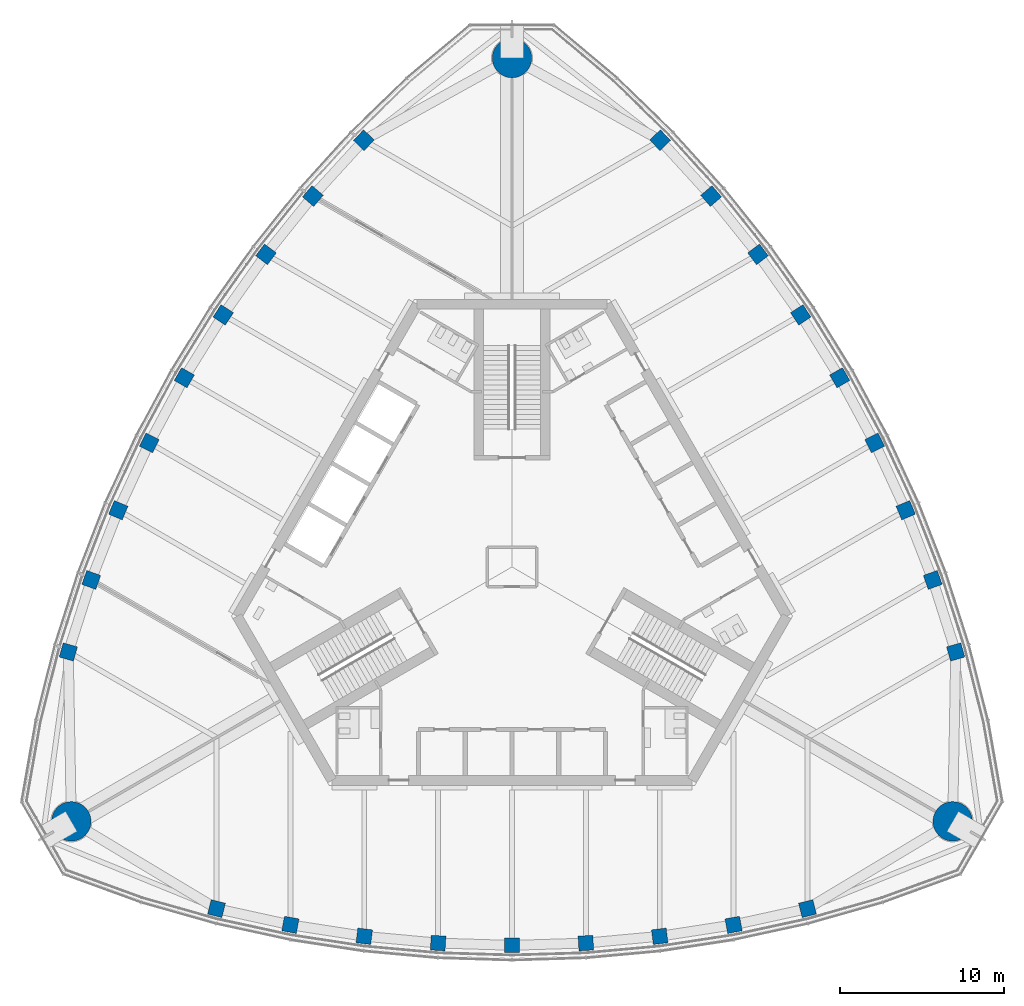
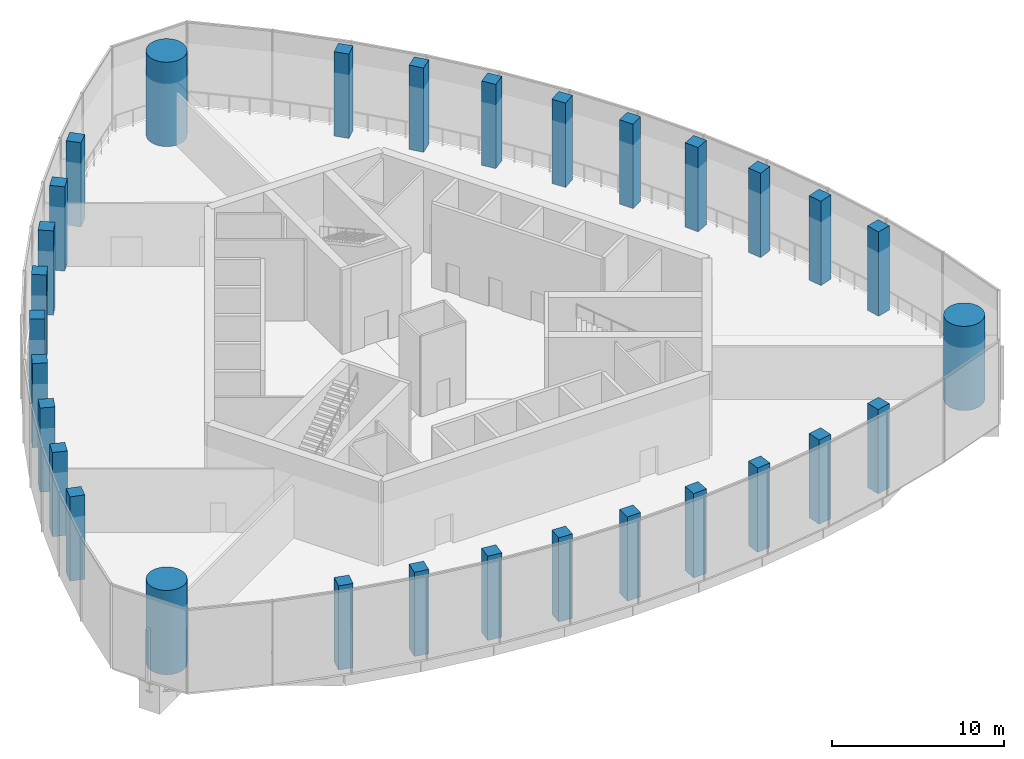
# One storey, part 1 of 15: 30 columns.
"""IFC4 building model written with IfcOpenShell, lengths in metres."""

from ifc_helpers import new_model, si_unit, direction, frame, origin, origin_2d, place, context, subcontext, project, spatial, rectangle, circle, extrude, material, material_profile, profile_set, type_object, element, save


model = new_model("IFC4")

# Units and contexts
model_context = context("Model", 3, precision=1e-05, world=origin(), true_north=direction((0.0, 1.0)))
body_context = subcontext(model_context, "Body", "Model", "MODEL_VIEW")
ifc_project = project(units=[si_unit("LENGTHUNIT", "METRE"), si_unit("AREAUNIT", "SQUARE_METRE"), si_unit("VOLUMEUNIT", "CUBIC_METRE"), si_unit("PLANEANGLEUNIT", "RADIAN"), si_unit("MASSUNIT", "GRAM", prefix="KILO")], contexts=[model_context])

# Site, building, storey
site_placement = place(None, origin())
site = spatial("IfcSite", under=ifc_project, at=site_placement, CompositionType="ELEMENT")
building_placement = place(site_placement, origin())
building = spatial("IfcBuilding", under=site, at=building_placement, Name="Trefoil Bronze Tower", CompositionType="ELEMENT")
storey_placement = place(building_placement, frame((0.0, 0.0, 322.5)))
storey = spatial("IfcBuildingStorey", under=building, at=storey_placement, Name="L74", CompositionType="ELEMENT", Elevation=322.5)

# Columns
ifc_material_1 = material(Name="Concrete B80", Category="concrete")
ifc_material_profile_1 = material_profile(ifc_material_1, circle(Radius=1.199951171875, at=origin_2d()), Name="RC D2400")
ifc_profile_set_1 = profile_set([ifc_material_profile_1], Name="Concrete B80")
column_type_1 = type_object("IfcColumnType", Name="Mega column RC D2400", PredefinedType="COLUMN", material=ifc_profile_set_1)
for number, where, z_axis, x_axis, name in (
    (1, (26.8466796875, -15.5, 0.0), (0.0, 0.0, 1.0), (1.0, 0.0, 0.0), "Mega column K1 L74"),
    (2, (0.0, 31.0, 0.0), (0.0, 0.0, 1.0), (1.0, 0.0, 0.0), "Mega column K2 L74"),
    (3, (-26.8466796875, -15.5, 0.0), (0.0, 0.0, 1.0), (1.0, 0.0, 0.0), "Mega column K3 L74"),
):
    element("IfcColumn", number, at=place(storey_placement, frame(where, z_axis=z_axis, x_axis=x_axis)), inside=storey, type_object=column_type_1, Name=name, PredefinedType="COLUMN", context=body_context, shape_type="SweptSolid", body=[
        extrude(circle(Radius=1.199951171875, at=origin_2d()), origin(), (0.0, 0.0, 1.0), 6.0),
    ])
ifc_material_2 = material(Name="Concrete B80", Category="concrete")
ifc_material_profile_2 = material_profile(ifc_material_2, rectangle(XDim=0.89990234375, YDim=0.89990234375, at=origin_2d()), Name="RC 900x900")
ifc_profile_set_2 = profile_set([ifc_material_profile_2], Name="Concrete B80")
column_type_2 = type_object("IfcColumnType", Name="Tube column RC 900x900", PredefinedType="COLUMN", material=ifc_profile_set_2)
for number, where, z_axis, x_axis, name in (
    (4, (-18.0, -20.816162109375, 0.0), (0.0, 0.0, 1.0), (0.97017777199, -0.242394494031, 0.0), "Tube column F1/-4 L74"),
    (5, (-13.5, -21.802734375, 0.0), (0.0, 0.0, 1.0), (0.983360067227, -0.181667218242, 0.0), "Tube column F1/-3 L74"),
    (6, (-9.0, -22.499267578125, 0.0), (0.0, 0.0, 1.0), (0.992639174109, -0.121109330868, 0.0), "Tube column F1/-2 L74"),
    (7, (-4.5, -22.913818359375, 0.0), (0.0, 0.0, 1.0), (0.998164920349, -0.060554040199, 0.0), "Tube column F1/-1 L74"),
    (8, (0.0, -23.051513671875, 0.0), (0.0, 0.0, 1.0), (1.0, 0.0, 0.0), "Tube column F1/+0 L74"),
    (9, (4.5, -22.913818359375, 0.0), (0.0, 0.0, 1.0), (0.998164920349, 0.060554040199, 0.0), "Tube column F1/+1 L74"),
    (10, (9.0, -22.499267578125, 0.0), (0.0, 0.0, 1.0), (0.992639174109, 0.121109330868, 0.0), "Tube column F1/+2 L74"),
    (11, (13.5, -21.802734375, 0.0), (0.0, 0.0, 1.0), (0.983360067227, 0.181667218242, 0.0), "Tube column F1/+3 L74"),
    (12, (18.0, -20.816162109375, 0.0), (0.0, 0.0, 1.0), (0.97017777199, 0.242394494031, 0.0), "Tube column F1/+4 L74"),
    (13, (27.02734375, -5.180419921875, 0.0), (0.0, 0.0, 1.0), (-0.275169096426, 0.961395843746, 0.0), "Tube column F2/-4 L74"),
    (14, (25.631591796875, -0.7900390625, 0.0), (0.0, 0.0, 1.0), (-0.334351607581, 0.942448408407, 0.0), "Tube column F2/-3 L74"),
    (15, (23.98486328125, 3.455322265625, 0.0), (0.0, 0.0, 1.0), (-0.391435829888, 0.920205407004, 0.0), "Tube column F2/-2 L74"),
    (16, (22.093994140625, 7.559814453125, 0.0), (0.0, 0.0, 1.0), (-0.44664112306, 0.894713198289, 0.0), "Tube column F2/-1 L74"),
    (17, (19.96337890625, 11.52587890625, 0.0), (0.0, 0.0, 1.0), (-0.5, 0.866025403784, 0.0), "Tube column F2/+0 L74"),
    (18, (17.593994140625, 15.35400390625, 0.0), (0.0, 0.0, 1.0), (-0.551523797289, 0.834159158089, 0.0), "Tube column F2/+1 L74"),
    (19, (14.98486328125, 19.043701171875, 0.0), (0.0, 0.0, 1.0), (-0.601203344222, 0.799096076136, 0.0), "Tube column F2/+2 L74"),
    (20, (12.131591796875, 22.5927734375, 0.0), (0.0, 0.0, 1.0), (-0.649008459646, 0.760781190165, 0.0), "Tube column F2/+3 L74"),
    (21, (9.02734375, 25.99658203125, 0.0), (0.0, 0.0, 1.0), (-0.695008675564, 0.719001349715, 0.0), "Tube column F2/+4 L74"),
    (22, (-9.02734375, 25.99658203125, 0.0), (0.0, 0.0, 1.0), (-0.695008675564, -0.719001349715, 0.0), "Tube column F3/-4 L74"),
    (23, (-12.131591796875, 22.5927734375, 0.0), (0.0, 0.0, 1.0), (-0.649008459646, -0.760781190165, 0.0), "Tube column F3/-3 L74"),
    (24, (-14.98486328125, 19.043701171875, 0.0), (0.0, 0.0, 1.0), (-0.601203344222, -0.799096076136, 0.0), "Tube column F3/-2 L74"),
    (25, (-17.593994140625, 15.35400390625, 0.0), (0.0, 0.0, 1.0), (-0.551523797289, -0.834159158089, 0.0), "Tube column F3/-1 L74"),
    (26, (-19.96337890625, 11.52587890625, 0.0), (0.0, 0.0, 1.0), (-0.5, -0.866025403784, 0.0), "Tube column F3/+0 L74"),
    (27, (-22.093994140625, 7.559814453125, 0.0), (0.0, 0.0, 1.0), (-0.44664112306, -0.894713198289, 0.0), "Tube column F3/+1 L74"),
    (28, (-23.98486328125, 3.455322265625, 0.0), (0.0, 0.0, 1.0), (-0.391435829888, -0.920205407004, 0.0), "Tube column F3/+2 L74"),
    (29, (-25.631591796875, -0.7900390625, 0.0), (0.0, 0.0, 1.0), (-0.334351607581, -0.942448408407, 0.0), "Tube column F3/+3 L74"),
    (30, (-27.02734375, -5.180419921875, 0.0), (0.0, 0.0, 1.0), (-0.275169096426, -0.961395843746, 0.0), "Tube column F3/+4 L74"),
):
    element("IfcColumn", number, at=place(storey_placement, frame(where, z_axis=z_axis, x_axis=x_axis)), inside=storey, type_object=column_type_2, Name=name, PredefinedType="COLUMN", context=body_context, shape_type="SweptSolid", body=[
        extrude(rectangle(XDim=0.89990234375, YDim=0.89990234375, at=origin_2d()), origin(), (0.0, 0.0, 1.0), 6.0),
    ])

save(model, "model.ifc")
